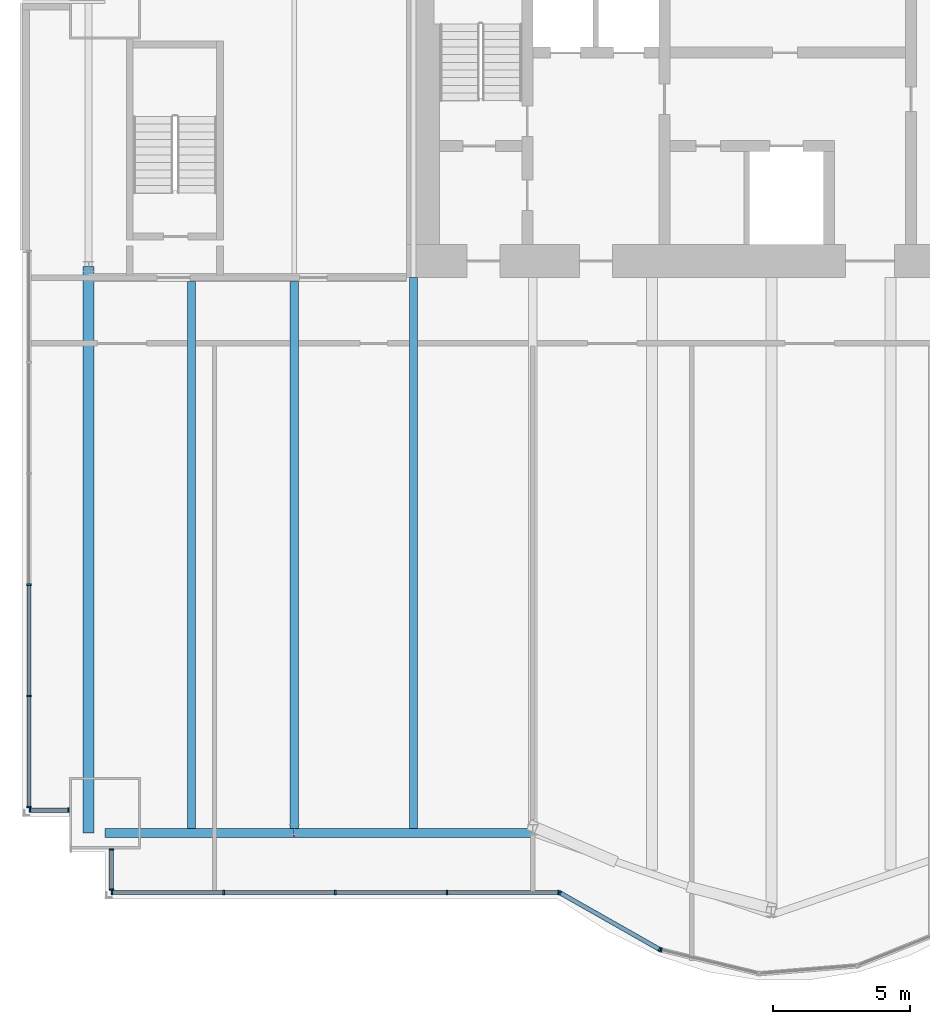
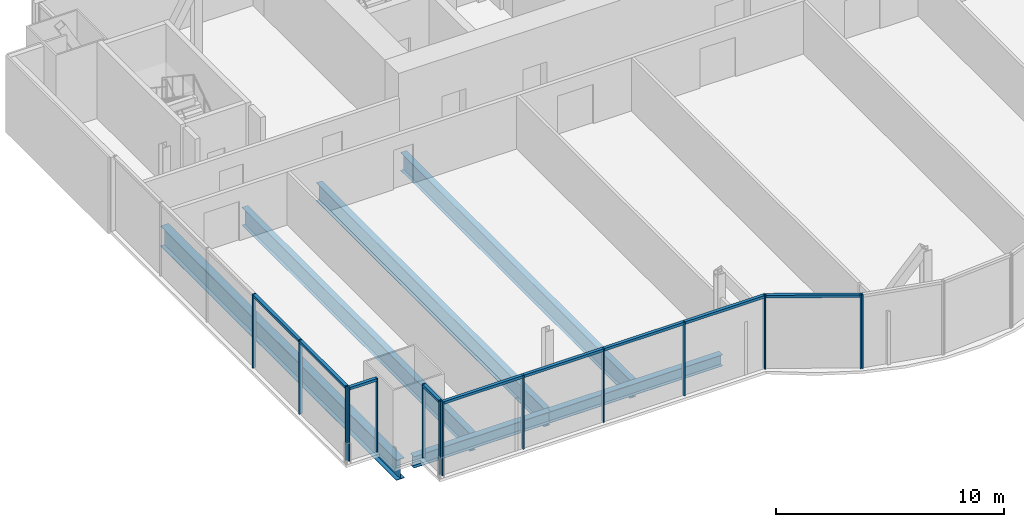
# One storey, part 5 of 22: 24 members, 6 beams, 5 elements without a shape of their own.
"""IFC4 building model written with IfcOpenShell, lengths in metres."""

from ifc_helpers import new_model, si_unit, direction, frame, origin, origin_2d, place, context, subcontext, project, spatial, rectangle, i_section, extrude, material, material_profile, profile_set, type_object, element, aggregate, save


model = new_model("IFC4")

# Units and contexts
model_context = context("Model", 3, precision=1e-05, world=origin(), true_north=direction((0.0, 1.0)))
body_context = subcontext(model_context, "Body", "Model", "MODEL_VIEW")
ifc_project = project(units=[si_unit("LENGTHUNIT", "METRE"), si_unit("AREAUNIT", "SQUARE_METRE"), si_unit("VOLUMEUNIT", "CUBIC_METRE"), si_unit("PLANEANGLEUNIT", "RADIAN"), si_unit("MASSUNIT", "GRAM", prefix="KILO")], contexts=[model_context])

# Site, building, storey
site_placement = place(None, origin())
site = spatial("IfcSite", under=ifc_project, at=site_placement, CompositionType="ELEMENT")
building_placement = place(site_placement, origin())
building = spatial("IfcBuilding", under=site, at=building_placement, Name="Bicima Exchange Tower", CompositionType="ELEMENT")
storey_placement = place(building_placement, frame((0.0, 0.0, 148.60009765625)))
storey = spatial("IfcBuildingStorey", under=building, at=storey_placement, Name="L32", CompositionType="ELEMENT", Elevation=148.60009765625)

# Curtain wall, members
ifc_material_1 = material(Name="Anodised bronze aluminium", Category="aluminium")
curtain_wall_type_1 = type_object("IfcCurtainWallType", Name="End face glass wall", PredefinedType="NOTDEFINED", material=ifc_material_1)
curtain_wall_1_placement = place(storey_placement, origin())
curtain_wall_1 = element("IfcCurtainWall", 1, at=curtain_wall_1_placement, inside=storey, type_object=curtain_wall_type_1, Name="End face glass wall L32 run 2", PredefinedType="NOTDEFINED")
ifc_material_profile_1 = material_profile(ifc_material_1, rectangle(XDim=0.159912109375, YDim=0.06005859375, at=origin_2d()))
ifc_profile_set_1 = profile_set([ifc_material_profile_1], Name="Anodised bronze aluminium")
member_type_1 = type_object("IfcMemberType", Name="End face glass wall mullion 60 x 160", PredefinedType="MULLION", material=ifc_profile_set_1)
member_1_placement = place(storey_placement, frame((-35.77001953125, -24.20166015625, 0.0), z_axis=(0.0, 0.0, 1.0), x_axis=(1.0, 0.0, 0.0)))
member_1 = element("IfcMember", 2, at=member_1_placement, type_object=member_type_1, Name="End face glass wall mullion 4", PredefinedType="MULLION", context=body_context, shape_type="SweptSolid", body=[
    extrude(rectangle(XDim=0.159912109375, YDim=0.06005859375, at=origin_2d()), origin(), (0.0, 0.0, 1.0), 3.949951171875),
])
member_2_placement = place(storey_placement, frame((-35.77001953125, -28.2587890625, 0.0), z_axis=(0.0, 0.0, 1.0), x_axis=(1.0, 0.0, 0.0)))
member_2 = element("IfcMember", 3, at=member_2_placement, type_object=member_type_1, Name="End face glass wall mullion 5", PredefinedType="MULLION", context=body_context, shape_type="SweptSolid", body=[
    extrude(rectangle(XDim=0.159912109375, YDim=0.06005859375, at=origin_2d()), origin(), (0.0, 0.0, 1.0), 3.949951171875),
])
member_3_placement = place(storey_placement, frame((-35.77001953125, -32.31591796875, 0.0), z_axis=(0.0, 0.0, 1.0), x_axis=(1.0, 0.0, 0.0)))
member_3 = element("IfcMember", 4, at=member_3_placement, type_object=member_type_1, Name="End face glass wall mullion 6", PredefinedType="MULLION", context=body_context, shape_type="SweptSolid", body=[
    extrude(rectangle(XDim=0.159912109375, YDim=0.06005859375, at=origin_2d()), origin(), (0.0, 0.0, 1.0), 3.949951171875),
])
ifc_material_profile_2 = material_profile(ifc_material_1, rectangle(XDim=0.159912109375, YDim=0.139892578125, at=origin_2d()))
ifc_profile_set_2 = profile_set([ifc_material_profile_2], Name="Anodised bronze aluminium")
member_type_2 = type_object("IfcMemberType", Name="End face glass wall transom 140 x 160", PredefinedType="USERDEFINED", material=ifc_profile_set_2)
member_4_placement = place(storey_placement, frame((-35.77001953125, -24.231689453125, 3.8798828125), z_axis=(0.0, -1.0, 0.0), x_axis=(1.0, 0.0, 0.0)))
member_4 = element("IfcMember", 5, at=member_4_placement, type_object=member_type_2, Name="End face glass wall transom 4.1", ObjectType="TRANSOM", PredefinedType="USERDEFINED", context=body_context, shape_type="SweptSolid", body=[
    extrude(rectangle(XDim=0.159912109375, YDim=0.139892578125, at=origin_2d()), origin(), (0.0, 0.0, 1.0), 3.9970703125),
])
member_5_placement = place(storey_placement, frame((-35.77001953125, -28.288818359375, 3.8798828125), z_axis=(0.0, -1.0, 0.0), x_axis=(1.0, 0.0, 0.0)))
member_5 = element("IfcMember", 6, at=member_5_placement, type_object=member_type_2, Name="End face glass wall transom 5.1", ObjectType="TRANSOM", PredefinedType="USERDEFINED", context=body_context, shape_type="SweptSolid", body=[
    extrude(rectangle(XDim=0.159912109375, YDim=0.139892578125, at=origin_2d()), origin(), (0.0, 0.0, 1.0), 3.9970703125),
])
aggregate(curtain_wall_1, [member_1, member_2, member_3, member_4, member_5])

# Beams
ifc_material_2 = material(Name="Steel ASTM A992 Gr 50", Category="steel")
ifc_material_profile_3 = material_profile(ifc_material_2, i_section(OverallWidth=0.4013671875, OverallDepth=1.089599609375, WebThickness=0.01806640625, FlangeThickness=0.031005859375, at=origin_2d()))
ifc_profile_set_3 = profile_set([ifc_material_profile_3], Name="Steel ASTM A992 Gr 50")
beam_type_1 = type_object("IfcBeamType", Name="End girder W44x230", PredefinedType="BEAM", material=ifc_profile_set_3)
beam_1_placement = place(storey_placement, frame((-33.60009765625, -12.60009765625, -0.69482421875), z_axis=(0.0, -1.0, 0.0), x_axis=(1.0, 0.0, 0.0)))
element("IfcBeam", 7, at=beam_1_placement, inside=storey, type_object=beam_type_1, Name="End girder", PredefinedType="BEAM", context=body_context, shape_type="SweptSolid", body=[
    extrude(i_section(OverallWidth=0.4013671875, OverallDepth=1.089599609375, WebThickness=0.01806640625, FlangeThickness=0.031005859375, at=origin_2d()), origin(), (0.0, 0.0, 1.0), 20.656005859375),
])
ifc_material_profile_4 = material_profile(ifc_material_2, i_section(OverallWidth=0.2998046875, OverallDepth=0.97021484375, WebThickness=0.01611328125, FlangeThickness=0.02099609375, at=origin_2d()))
ifc_profile_set_4 = profile_set([ifc_material_profile_4], Name="Steel ASTM A992 Gr 50")
beam_type_2 = type_object("IfcBeamType", Name="Floor beam W40x149", PredefinedType="JOIST", material=ifc_profile_set_4)
for number, where, z_axis, x_axis, name in (
    (8, (-29.85009765625, -13.15234375, -0.63525390625), (0.0, -1.0, 0.0), (1.0, 0.0, 0.0), "Floor beam"),
    (9, (-26.10009765625, -13.15234375, -0.63525390625), (0.0, -1.0, 0.0), (1.0, 0.0, 0.0), "Floor beam"),
):
    element("IfcBeam", number, at=place(storey_placement, frame(where, z_axis=z_axis, x_axis=x_axis)), inside=storey, type_object=beam_type_2, Name=name, PredefinedType="JOIST", context=body_context, shape_type="SweptSolid", body=[
        extrude(i_section(OverallWidth=0.2998046875, OverallDepth=0.97021484375, WebThickness=0.01611328125, FlangeThickness=0.02099609375, at=origin_2d()), origin(), (0.0, 0.0, 1.0), 19.941162109375),
    ])
beam_2_placement = place(storey_placement, frame((-21.75, -13.0, -0.63525390625), z_axis=(0.0, -1.0, 0.0), x_axis=(1.0, 0.0, 0.0)))
element("IfcBeam", 10, at=beam_2_placement, inside=storey, type_object=beam_type_2, Name="Floor beam", PredefinedType="JOIST", context=body_context, shape_type="SweptSolid", body=[
    extrude(i_section(OverallWidth=0.2998046875, OverallDepth=0.97021484375, WebThickness=0.01611328125, FlangeThickness=0.02099609375, at=origin_2d()), origin(), (0.0, 0.0, 1.0), 20.093505859375),
])
ifc_material_profile_5 = material_profile(ifc_material_2, i_section(OverallWidth=0.3251953125, OverallDepth=0.612060546875, WebThickness=0.0126953125, FlangeThickness=0.01904296875, at=origin_2d()))
ifc_profile_set_5 = profile_set([ifc_material_profile_5], Name="Steel ASTM A992 Gr 50")
beam_type_3 = type_object("IfcBeamType", Name="Front girder W24x104", PredefinedType="BEAM", material=ifc_profile_set_5)
beam_3_placement = place(storey_placement, frame((-33.0, -33.256103515625, -0.456298828125), z_axis=(1.0, 0.0, 0.0), x_axis=(0.0, 1.0, 0.0)))
element("IfcBeam", 11, at=beam_3_placement, inside=storey, type_object=beam_type_3, Name="Front girder", PredefinedType="BEAM", context=body_context, shape_type="SweptSolid", body=[
    extrude(i_section(OverallWidth=0.3251953125, OverallDepth=0.612060546875, WebThickness=0.0126953125, FlangeThickness=0.01904296875, at=origin_2d()), origin(), (0.0, 0.0, 1.0), 6.89990234375),
])
beam_4_placement = place(storey_placement, frame((-26.10009765625, -33.256103515625, -0.456298828125), z_axis=(1.0, 0.0, 0.0), x_axis=(0.0, 1.0, 0.0)))
element("IfcBeam", 12, at=beam_4_placement, inside=storey, type_object=beam_type_3, Name="Front girder", PredefinedType="BEAM", context=body_context, shape_type="SweptSolid", body=[
    extrude(i_section(OverallWidth=0.3251953125, OverallDepth=0.612060546875, WebThickness=0.0126953125, FlangeThickness=0.01904296875, at=origin_2d()), origin(), (0.0, 0.0, 1.0), 8.7001953125),
])

# Curtain wall, members
curtain_wall_type_2 = type_object("IfcCurtainWallType", Name="Front glass wall", PredefinedType="NOTDEFINED", material=ifc_material_1)
curtain_wall_2_placement = place(storey_placement, origin())
curtain_wall_2 = element("IfcCurtainWall", 13, at=curtain_wall_2_placement, inside=storey, type_object=curtain_wall_type_2, Name="Front glass wall L32 run 3", PredefinedType="NOTDEFINED")
member_type_3 = type_object("IfcMemberType", Name="Front glass wall mullion 60 x 160", PredefinedType="MULLION", material=ifc_profile_set_1)
member_6_placement = place(storey_placement, frame((-35.739990234375, -32.426025390625, 0.0), z_axis=(0.0, 0.0, 1.0), x_axis=(0.0, 1.0, 0.0)))
member_6 = element("IfcMember", 14, at=member_6_placement, type_object=member_type_3, Name="Front glass wall mullion 1", PredefinedType="MULLION", context=body_context, shape_type="SweptSolid", body=[
    extrude(rectangle(XDim=0.159912109375, YDim=0.06005859375, at=origin_2d()), origin(), (0.0, 0.0, 1.0), 3.949951171875),
])
member_7_placement = place(storey_placement, frame((-34.330078125, -32.426025390625, 0.0), z_axis=(0.0, 0.0, 1.0), x_axis=(0.0, 1.0, 0.0)))
member_7 = element("IfcMember", 15, at=member_7_placement, type_object=member_type_3, Name="Front glass wall mullion 2", PredefinedType="MULLION", context=body_context, shape_type="SweptSolid", body=[
    extrude(rectangle(XDim=0.159912109375, YDim=0.06005859375, at=origin_2d()), origin(), (0.0, 0.0, 1.0), 3.949951171875),
])

curtain_wall_3_placement = place(storey_placement, origin())
curtain_wall_3 = element("IfcCurtainWall", 16, at=curtain_wall_3_placement, inside=storey, type_object=curtain_wall_type_2, Name="Front glass wall L32 run 4", PredefinedType="NOTDEFINED")
member_8_placement = place(storey_placement, frame((-32.77001953125, -33.864013671875, 0.0), z_axis=(0.0, 0.0, 1.0), x_axis=(1.0, 0.0, 0.0)))
member_8 = element("IfcMember", 17, at=member_8_placement, type_object=member_type_3, Name="Front glass wall mullion 1", PredefinedType="MULLION", context=body_context, shape_type="SweptSolid", body=[
    extrude(rectangle(XDim=0.159912109375, YDim=0.06005859375, at=origin_2d()), origin(), (0.0, 0.0, 1.0), 3.949951171875),
])
member_9_placement = place(storey_placement, frame((-32.77001953125, -35.31591796875, 0.0), z_axis=(0.0, 0.0, 1.0), x_axis=(1.0, 0.0, 0.0)))
member_9 = element("IfcMember", 18, at=member_9_placement, type_object=member_type_3, Name="Front glass wall mullion 2", PredefinedType="MULLION", context=body_context, shape_type="SweptSolid", body=[
    extrude(rectangle(XDim=0.159912109375, YDim=0.06005859375, at=origin_2d()), origin(), (0.0, 0.0, 1.0), 3.949951171875),
])

curtain_wall_4_placement = place(storey_placement, origin())
curtain_wall_4 = element("IfcCurtainWall", 19, at=curtain_wall_4_placement, inside=storey, type_object=curtain_wall_type_2, Name="Front glass wall L32 run 5", PredefinedType="NOTDEFINED")
member_10_placement = place(storey_placement, frame((-32.739990234375, -35.426025390625, 0.0), z_axis=(0.0, 0.0, 1.0), x_axis=(0.0, 1.0, 0.0)))
member_10 = element("IfcMember", 20, at=member_10_placement, type_object=member_type_3, Name="Front glass wall mullion 1", PredefinedType="MULLION", context=body_context, shape_type="SweptSolid", body=[
    extrude(rectangle(XDim=0.159912109375, YDim=0.06005859375, at=origin_2d()), origin(), (0.0, 0.0, 1.0), 3.949951171875),
])
member_11_placement = place(storey_placement, frame((-28.67041015625, -35.426025390625, 0.0), z_axis=(0.0, 0.0, 1.0), x_axis=(0.0, 1.0, 0.0)))
member_11 = element("IfcMember", 21, at=member_11_placement, type_object=member_type_3, Name="Front glass wall mullion 2", PredefinedType="MULLION", context=body_context, shape_type="SweptSolid", body=[
    extrude(rectangle(XDim=0.159912109375, YDim=0.06005859375, at=origin_2d()), origin(), (0.0, 0.0, 1.0), 3.949951171875),
])
member_12_placement = place(storey_placement, frame((-24.60107421875, -35.426025390625, 0.0), z_axis=(0.0, 0.0, 1.0), x_axis=(0.0, 1.0, 0.0)))
member_12 = element("IfcMember", 22, at=member_12_placement, type_object=member_type_3, Name="Front glass wall mullion 3", PredefinedType="MULLION", context=body_context, shape_type="SweptSolid", body=[
    extrude(rectangle(XDim=0.159912109375, YDim=0.06005859375, at=origin_2d()), origin(), (0.0, 0.0, 1.0), 3.949951171875),
])
member_13_placement = place(storey_placement, frame((-20.531494140625, -35.426025390625, 0.0), z_axis=(0.0, 0.0, 1.0), x_axis=(0.0, 1.0, 0.0)))
member_13 = element("IfcMember", 23, at=member_13_placement, type_object=member_type_3, Name="Front glass wall mullion 4", PredefinedType="MULLION", context=body_context, shape_type="SweptSolid", body=[
    extrude(rectangle(XDim=0.159912109375, YDim=0.06005859375, at=origin_2d()), origin(), (0.0, 0.0, 1.0), 3.949951171875),
])
member_14_placement = place(storey_placement, frame((-16.462158203125, -35.426025390625, 0.0), z_axis=(0.0, 0.0, 1.0), x_axis=(0.0, 1.0, 0.0)))
member_14 = element("IfcMember", 24, at=member_14_placement, type_object=member_type_3, Name="Front glass wall mullion 5", PredefinedType="MULLION", context=body_context, shape_type="SweptSolid", body=[
    extrude(rectangle(XDim=0.159912109375, YDim=0.06005859375, at=origin_2d()), origin(), (0.0, 0.0, 1.0), 3.949951171875),
])

curtain_wall_5_placement = place(storey_placement, origin())
curtain_wall_5 = element("IfcCurtainWall", 25, at=curtain_wall_5_placement, inside=storey, type_object=curtain_wall_type_2, Name="Front glass wall L32 run 6", PredefinedType="NOTDEFINED")
member_15_placement = place(storey_placement, frame((-16.406005859375, -35.44091796875, 0.0), z_axis=(0.0, 0.0, 1.0), x_axis=(0.493395449343, 0.869805110681, 0.0)))
member_15 = element("IfcMember", 26, at=member_15_placement, type_object=member_type_3, Name="Front glass wall mullion 1", PredefinedType="MULLION", context=body_context, shape_type="SweptSolid", body=[
    extrude(rectangle(XDim=0.159912109375, YDim=0.06005859375, at=origin_2d()), origin(), (0.0, 0.0, 1.0), 3.949951171875),
])
member_16_placement = place(storey_placement, frame((-12.7734375, -37.50146484375, 0.0), z_axis=(0.0, 0.0, 1.0), x_axis=(0.493395449343, 0.869805110681, 0.0)))
member_16 = element("IfcMember", 27, at=member_16_placement, type_object=member_type_3, Name="Front glass wall mullion 2", PredefinedType="MULLION", context=body_context, shape_type="SweptSolid", body=[
    extrude(rectangle(XDim=0.159912109375, YDim=0.06005859375, at=origin_2d()), origin(), (0.0, 0.0, 1.0), 3.949951171875),
])
member_17_placement = place(storey_placement, frame((-12.718017578125, -37.523193359375, 0.0), z_axis=(0.0, 0.0, 1.0), x_axis=(0.235681529503, 0.971830343553, 0.0)))
member_17 = element("IfcMember", 28, at=member_17_placement, type_object=member_type_3, Name="Front glass wall mullion 1", PredefinedType="MULLION", context=body_context, shape_type="SweptSolid", body=[
    extrude(rectangle(XDim=0.159912109375, YDim=0.06005859375, at=origin_2d()), origin(), (0.0, 0.0, 1.0), 3.949951171875),
])

# Member
member_type_4 = type_object("IfcMemberType", Name="Front glass wall transom 140 x 160", PredefinedType="USERDEFINED", material=ifc_profile_set_2)
member_18_placement = place(storey_placement, frame((-35.7099609375, -32.426025390625, 3.8798828125), z_axis=(1.0, 0.0, 0.0), x_axis=(0.0, 1.0, 0.0)))
member_18 = element("IfcMember", 29, at=member_18_placement, type_object=member_type_4, Name="Front glass wall transom 1.1", ObjectType="TRANSOM", PredefinedType="USERDEFINED", context=body_context, shape_type="SweptSolid", body=[
    extrude(rectangle(XDim=0.159912109375, YDim=0.139892578125, at=origin_2d()), origin(), (0.0, 0.0, 1.0), 1.349853515625),
])

aggregate(curtain_wall_2, [member_6, member_7, member_18])

member_19_placement = place(storey_placement, frame((-32.77001953125, -33.89404296875, 3.8798828125), z_axis=(0.0, -1.0, 0.0), x_axis=(1.0, 0.0, 0.0)))
member_19 = element("IfcMember", 30, at=member_19_placement, type_object=member_type_4, Name="Front glass wall transom 1.1", ObjectType="TRANSOM", PredefinedType="USERDEFINED", context=body_context, shape_type="SweptSolid", body=[
    extrude(rectangle(XDim=0.159912109375, YDim=0.139892578125, at=origin_2d()), origin(), (0.0, 0.0, 1.0), 1.391845703125),
])

aggregate(curtain_wall_3, [member_8, member_9, member_19])

member_20_placement = place(storey_placement, frame((-32.7099609375, -35.426025390625, 3.8798828125), z_axis=(1.0, 0.0, 0.0), x_axis=(0.0, 1.0, 0.0)))
member_20 = element("IfcMember", 31, at=member_20_placement, type_object=member_type_4, Name="Front glass wall transom 1.1", ObjectType="TRANSOM", PredefinedType="USERDEFINED", context=body_context, shape_type="SweptSolid", body=[
    extrude(rectangle(XDim=0.159912109375, YDim=0.139892578125, at=origin_2d()), origin(), (0.0, 0.0, 1.0), 4.009521484375),
])

member_21_placement = place(storey_placement, frame((-28.640380859375, -35.426025390625, 3.8798828125), z_axis=(1.0, 0.0, 0.0), x_axis=(0.0, 1.0, 0.0)))
member_21 = element("IfcMember", 32, at=member_21_placement, type_object=member_type_4, Name="Front glass wall transom 2.1", ObjectType="TRANSOM", PredefinedType="USERDEFINED", context=body_context, shape_type="SweptSolid", body=[
    extrude(rectangle(XDim=0.159912109375, YDim=0.139892578125, at=origin_2d()), origin(), (0.0, 0.0, 1.0), 4.00927734375),
])

member_22_placement = place(storey_placement, frame((-24.571044921875, -35.426025390625, 3.8798828125), z_axis=(1.0, 0.0, 0.0), x_axis=(0.0, 1.0, 0.0)))
member_22 = element("IfcMember", 33, at=member_22_placement, type_object=member_type_4, Name="Front glass wall transom 3.1", ObjectType="TRANSOM", PredefinedType="USERDEFINED", context=body_context, shape_type="SweptSolid", body=[
    extrude(rectangle(XDim=0.159912109375, YDim=0.139892578125, at=origin_2d()), origin(), (0.0, 0.0, 1.0), 4.009521484375),
])

member_23_placement = place(storey_placement, frame((-20.501708984375, -35.426025390625, 3.8798828125), z_axis=(1.0, 0.0, 0.0), x_axis=(0.0, 1.0, 0.0)))
member_23 = element("IfcMember", 34, at=member_23_placement, type_object=member_type_4, Name="Front glass wall transom 4.1", ObjectType="TRANSOM", PredefinedType="USERDEFINED", context=body_context, shape_type="SweptSolid", body=[
    extrude(rectangle(XDim=0.159912109375, YDim=0.139892578125, at=origin_2d()), origin(), (0.0, 0.0, 1.0), 4.009521484375),
])

aggregate(curtain_wall_4, [member_10, member_11, member_12, member_13, member_14, member_20, member_21, member_22, member_23])

member_24_placement = place(storey_placement, frame((-16.3798828125, -35.45556640625, 3.8798828125), z_axis=(0.869797371721, -0.49340909208, 0.0), x_axis=(0.49340909208, 0.869797371721, 0.0)))
member_24 = element("IfcMember", 35, at=member_24_placement, type_object=member_type_4, Name="Front glass wall transom 1.1", ObjectType="TRANSOM", PredefinedType="USERDEFINED", context=body_context, shape_type="SweptSolid", body=[
    extrude(rectangle(XDim=0.159912109375, YDim=0.139892578125, at=origin_2d()), origin(), (0.0, 0.0, 1.0), 4.1162109375),
])

aggregate(curtain_wall_5, [member_15, member_16, member_24, member_17])

save(model, "model.ifc")
